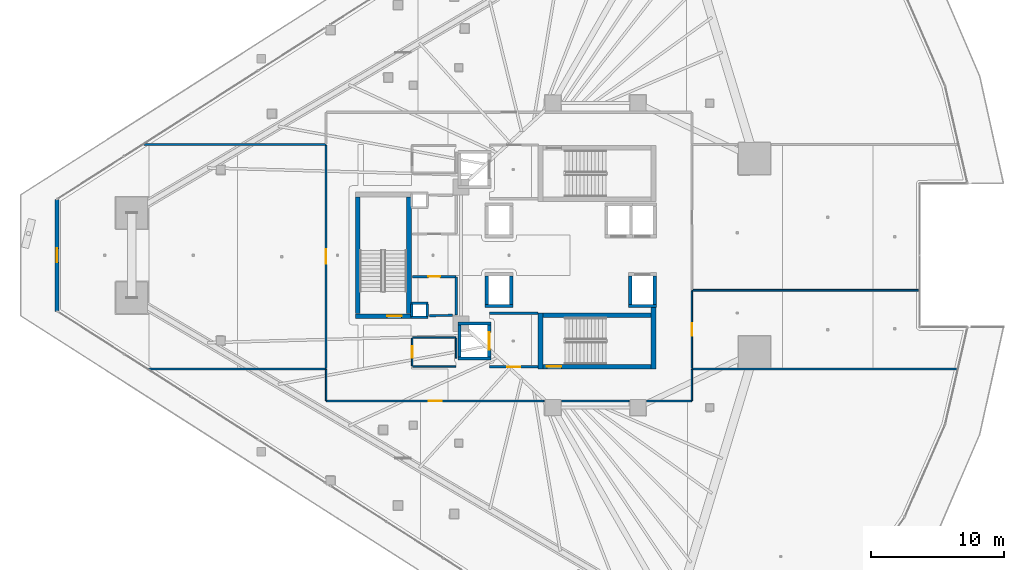
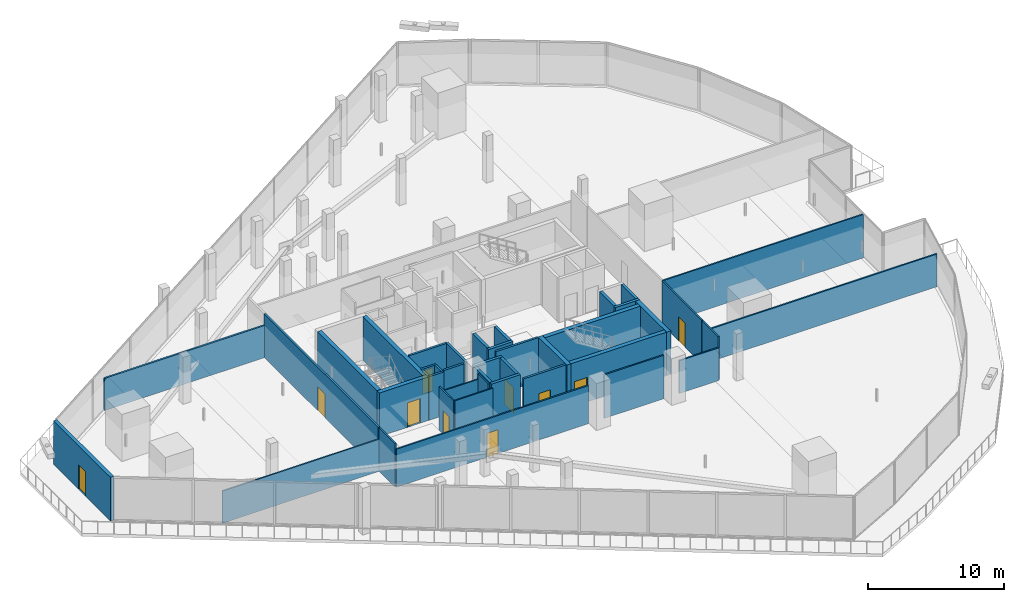
# One storey, part 30 of 43: 42 walls, 10 doors, 10 openings.
"""IFC4 building model written with IfcOpenShell, lengths in metres."""

from ifc_helpers import new_model, si_unit, direction, frame, frame_2d, origin, place, context, subcontext, project, spatial, rectangle, extrude, material, layer, layer_set, type_object, element, fill, save


model = new_model("IFC4")

# Units and contexts
model_context = context("Model", 3, precision=1e-05, world=origin(), true_north=direction((0.0, 1.0)))
body_context = subcontext(model_context, "Body", "Model", "MODEL_VIEW")
ifc_project = project(units=[si_unit("LENGTHUNIT", "METRE"), si_unit("AREAUNIT", "SQUARE_METRE"), si_unit("VOLUMEUNIT", "CUBIC_METRE"), si_unit("PLANEANGLEUNIT", "RADIAN"), si_unit("MASSUNIT", "GRAM", prefix="KILO")], contexts=[model_context])

# Site, building, storey
site_placement = place(None, origin())
site = spatial("IfcSite", under=ifc_project, at=site_placement, CompositionType="ELEMENT")
building_placement = place(site_placement, origin())
building = spatial("IfcBuilding", under=site, at=building_placement, Name="Qorvath Tower", CompositionType="ELEMENT")
storey_placement = place(building_placement, frame((0.0, 0.0, 36.60009765625)))
storey = spatial("IfcBuildingStorey", under=building, at=storey_placement, Name="L07", CompositionType="ELEMENT", Elevation=36.60009765625)

# Walls
ifc_material_1 = material(Name="Gypsum shaftliner on steel studs", Category="steel")
ifc_layer_1 = layer(ifc_material_1, 0.179931640625)
ifc_layer_set_1 = layer_set([ifc_layer_1], Name="FW-LOBBY")
wall_type_1 = type_object("IfcWallType", Name="FW-LOBBY", PredefinedType="PARTITIONING", material=ifc_layer_set_1)
for number, where, z_axis, x_axis, name in (
    (1, (-32.989990234375, -4.675048828125, 0.0), (0.0, 0.0, 1.0), (-1.0, 0.0, 0.0), "MEP Riser Shaft Enclosure Wall S-L07-S"),
    (2, (-34.260009765625, -3.594970703125, 0.0), (0.0, 0.0, 1.0), (1.0, 0.0, 0.0), "MEP Riser Shaft Enclosure Wall S-L07-N"),
):
    element("IfcWall", number, at=place(storey_placement, frame(where, z_axis=z_axis, x_axis=x_axis)), inside=storey, type_object=wall_type_1, Name=name, PredefinedType="PARTITIONING", context=body_context, shape_type="SweptSolid", body=[
        extrude(rectangle(XDim=1.27001953125, YDim=0.179931640625, at=frame_2d((0.635009765625, 0.0))), origin(), (0.0, 0.0, 1.0), 3.919921875),
    ])
for number, where, z_axis, x_axis, name in (
    (3, (-34.205078125, -4.610107421875, 0.0), (0.0, 0.0, 1.0), (0.0, 1.0, 0.0), "MEP Riser Shaft Enclosure Wall S-L07-W"),
    (4, (-33.044921875, -3.659912109375, 0.0), (0.0, 0.0, 1.0), (0.0, -1.0, 0.0), "MEP Riser Shaft Enclosure Wall S-L07-E"),
):
    element("IfcWall", number, at=place(storey_placement, frame(where, z_axis=z_axis, x_axis=x_axis)), inside=storey, type_object=wall_type_1, Name=name, PredefinedType="PARTITIONING", context=body_context, shape_type="SweptSolid", body=[
        extrude(rectangle(XDim=0.9501953125, YDim=0.179931640625, at=frame_2d((0.47509765625, 0.0))), origin(), (0.0, 0.0, 1.0), 3.919921875),
    ])

# Wall, opening, door
wall_1_placement = place(storey_placement, frame((-28.35498046875, -8.39990234375, 0.0), z_axis=(0.0, 0.0, 1.0), x_axis=(1.0, 0.0, 0.0)))
wall_1 = element("IfcWall", 5, at=wall_1_placement, inside=storey, type_object=wall_type_1, Name="Interior Partition IW-T1-L07-003", PredefinedType="PARTITIONING", context=body_context, shape_type="SweptSolid", body=[
    extrude(rectangle(XDim=3.6220703125, YDim=0.179931640625, at=frame_2d((1.81103515625, 0.0))), origin(), (0.0, 0.0, 1.0), 3.919921875),
])
opening_1_placement = place(wall_1_placement, frame((1.31103515625, 0.0, 0.0)))
opening_1 = element("IfcOpeningElement", 6, at=opening_1_placement, cuts=wall_1, Name="Opening D-T1-L07-11", PredefinedType="OPENING", context=body_context, shape_type="SweptSolid", body=[
    extrude(rectangle(XDim=1.0, YDim=2.14990234375, at=frame_2d((0.5, 1.074951171875))), frame((0.0, 0.10009765625, 0.0), z_axis=(0.0, -1.0, 0.0), x_axis=(1.0, 0.0, 0.0)), (0.0, 0.0, 1.0), 0.199951171875),
])
ifc_material_2 = material(Name="Painted galvanised hollow metal", Category="steel")
door_type_1 = type_object("IfcDoorType", Name="FD-60", OperationType="NOTDEFINED", PredefinedType="DOOR", material=ifc_material_2)
door_1_placement = place(opening_1_placement, origin())
door_1 = element("IfcDoor", 7, at=door_1_placement, inside=storey, type_object=door_type_1, Name="Lobby Fire Service Elevator South Door D-T1-L07-11", OperationType="SINGLE_SWING_RIGHT", OverallHeight=2.14990234375, OverallWidth=1.0, PredefinedType="DOOR", context=body_context, shape_type="SweptSolid", body=[
    extrude(rectangle(XDim=1.0, YDim=2.14990234375, at=frame_2d((0.5, 1.074951171875))), frame((0.0, 0.02490234375, 0.0), z_axis=(0.0, -1.0, 0.0), x_axis=(1.0, 0.0, 0.0)), (0.0, 0.0, 1.0), 0.050048828125),
])
fill(opening_1, door_1)

# Walls
wall_2_placement = place(storey_placement, frame((-24.73291015625, -4.35009765625, 0.0), z_axis=(0.0, 0.0, 1.0), x_axis=(-1.0, 0.0, 0.0)))
element("IfcWall", 8, at=wall_2_placement, inside=storey, type_object=wall_type_1, Name="Interior Partition IW-T1-L07-004", PredefinedType="PARTITIONING", context=body_context, shape_type="SweptSolid", body=[
    extrude(rectangle(XDim=3.6220703125, YDim=0.179931640625, at=frame_2d((1.81103515625, 0.0))), origin(), (0.0, 0.0, 1.0), 3.919921875),
])
wall_3_placement = place(storey_placement, frame((-32.8798828125, -4.5380859375, 0.0), z_axis=(0.0, 0.0, 1.0), x_axis=(0.9999584918, 0.009111239105, 0.0)))
element("IfcWall", 9, at=wall_3_placement, inside=storey, type_object=wall_type_1, Name="Interior Partition IW-T1-L07-016", PredefinedType="PARTITIONING", context=body_context, shape_type="SweptSolid", body=[
    extrude(rectangle(XDim=1.71484375, YDim=0.179931640625, at=frame_2d((0.857421875, 0.0))), origin(), (0.0, 0.0, 1.0), 3.919921875),
])
wall_4_placement = place(storey_placement, frame((-30.8798828125, -4.485107421875, 0.0), z_axis=(0.0, 0.0, 1.0), x_axis=(0.0, 1.0, 0.0)))
element("IfcWall", 10, at=wall_4_placement, inside=storey, type_object=wall_type_1, Name="Interior Partition IW-T1-L07-017", PredefinedType="PARTITIONING", context=body_context, shape_type="SweptSolid", body=[
    extrude(rectangle(XDim=2.860107421875, YDim=0.179931640625, at=frame_2d((1.43017578125, 0.0))), origin(), (0.0, 0.0, 1.0), 3.919921875),
])

# Wall, opening, door
wall_5_placement = place(storey_placement, frame((-30.90478515625, -1.60009765625, 0.0), z_axis=(0.0, 0.0, 1.0), x_axis=(-1.0, 0.0, 0.0)))
wall_5 = element("IfcWall", 11, at=wall_5_placement, inside=storey, type_object=wall_type_1, Name="Interior Partition IW-T1-L07-018", PredefinedType="PARTITIONING", context=body_context, shape_type="SweptSolid", body=[
    extrude(rectangle(XDim=3.25, YDim=0.179931640625, at=frame_2d((1.625, 0.0))), origin(), (0.0, 0.0, 1.0), 3.919921875),
])
opening_2_placement = place(wall_5_placement, frame((1.18505859375, 0.0, 0.0)))
opening_2 = element("IfcOpeningElement", 12, at=opening_2_placement, cuts=wall_5, Name="Opening D-T1-L07-04", PredefinedType="OPENING", context=body_context, shape_type="SweptSolid", body=[
    extrude(rectangle(XDim=0.8798828125, YDim=2.10009765625, at=frame_2d((0.43994140625, 1.050048828125))), frame((0.0, 0.10009765625, 0.0), z_axis=(0.0, -1.0, 0.0), x_axis=(1.0, 0.0, 0.0)), (0.0, 0.0, 1.0), 0.199951171875),
])
ifc_material_3 = material(Name="Painted galvanised hollow metal", Category="steel")
door_type_2 = type_object("IfcDoorType", Name="FD-60N", OperationType="NOTDEFINED", PredefinedType="DOOR", material=ifc_material_3)
door_2_placement = place(opening_2_placement, origin())
door_2 = element("IfcDoor", 13, at=door_2_placement, inside=storey, type_object=door_type_2, Name="Core housekeeping store L07 Door D-T1-L07-04", OperationType="SINGLE_SWING_LEFT", OverallHeight=2.10009765625, OverallWidth=0.8798828125, PredefinedType="DOOR", context=body_context, shape_type="SweptSolid", body=[
    extrude(rectangle(XDim=0.8798828125, YDim=2.10009765625, at=frame_2d((0.43994140625, 1.050048828125))), frame((0.0, 0.02490234375, 0.0), z_axis=(0.0, -1.0, 0.0), x_axis=(1.0, 0.0, 0.0)), (0.0, 0.0, 1.0), 0.050048828125),
])
fill(opening_2, door_2)

# Wall
ifc_material_4 = material(Name="Double acoustic gypsum board on steel studs", Category="steel")
ifc_layer_2 = layer(ifc_material_4, 0.159912109375)
ifc_layer_set_2 = layer_set([ifc_layer_2], Name="IW-ACOUSTIC-160")
wall_type_2 = type_object("IfcWallType", Name="IW-ACOUSTIC-160", PredefinedType="PARTITIONING", material=ifc_layer_set_2)
wall_6_placement = place(storey_placement, frame((-54.348388671875, 8.35009765625, 0.0), z_axis=(0.0, 0.0, 1.0), x_axis=(1.0, 0.0, 0.0)))
element("IfcWall", 14, at=wall_6_placement, inside=storey, type_object=wall_type_2, Name="Interior Partition IW-T1-L07-019", PredefinedType="PARTITIONING", context=body_context, shape_type="SweptSolid", body=[
    extrude(rectangle(XDim=13.665283203125, YDim=0.159912109375, at=frame_2d((6.83251953125, 0.0))), origin(), (0.0, 0.0, 1.0), 2.889892578125),
])

# Wall, opening, door
wall_7_placement = place(storey_placement, frame((-40.657958984375, -8.51708984375, 0.0), z_axis=(0.0, 0.0, 1.0), x_axis=(0.0, 1.0, 0.0)))
wall_7 = element("IfcWall", 15, at=wall_7_placement, inside=storey, type_object=wall_type_2, Name="Interior Partition IW-T1-L07-035", PredefinedType="PARTITIONING", context=body_context, shape_type="SweptSolid", body=[
    extrude(rectangle(XDim=16.833984375, YDim=0.159912109375, at=frame_2d((8.4169921875, 0.0))), origin(), (0.0, 0.0, 1.0), 3.919921875),
])
opening_3_placement = place(wall_7_placement, frame((7.866943359375, 0.0, 0.0)))
opening_3 = element("IfcOpeningElement", 16, at=opening_3_placement, cuts=wall_7, Name="Opening D-T1-L07-09", PredefinedType="OPENING", context=body_context, shape_type="SweptSolid", body=[
    extrude(rectangle(XDim=1.10009765625, YDim=2.14990234375, at=frame_2d((0.550048828125, 1.074951171875))), frame((0.0, 0.08984375, 0.0), z_axis=(0.0, -1.0, 0.0), x_axis=(1.0, 0.0, 0.0)), (0.0, 0.0, 1.0), 0.179931640625),
])
ifc_material_5 = material(Name="Anodised aluminium acoustic framed glass", Category="aluminium")
door_type_3 = type_object("IfcDoorType", Name="D-03", OperationType="NOTDEFINED", PredefinedType="DOOR", material=ifc_material_5)
door_3_placement = place(opening_3_placement, origin())
door_3 = element("IfcDoor", 17, at=door_3_placement, inside=storey, type_object=door_type_3, Name="L07-05 Client Services Office Door D-T1-L07-09", OperationType="SINGLE_SWING_RIGHT", OverallHeight=2.14990234375, OverallWidth=1.10009765625, PredefinedType="DOOR", context=body_context, shape_type="SweptSolid", body=[
    extrude(rectangle(XDim=1.10009765625, YDim=2.14990234375, at=frame_2d((0.550048828125, 1.074951171875))), frame((0.0, 0.02490234375, 0.0), z_axis=(0.0, -1.0, 0.0), x_axis=(1.0, 0.0, 0.0)), (0.0, 0.0, 1.0), 0.050048828125),
])
fill(opening_3, door_3)

# Walls
ifc_material_6 = material(Name="Gypsum board on metal studs with mineral wool", Category="gypsum")
ifc_layer_3 = layer(ifc_material_6, 0.125)
ifc_layer_set_3 = layer_set([ifc_layer_3], Name="IW-PART-125")
wall_type_3 = type_object("IfcWallType", Name="IW-PART-125", PredefinedType="PARTITIONING", material=ifc_layer_set_3)
wall_8_placement = place(storey_placement, frame((6.799072265625, -8.550048828125, 0.0), z_axis=(0.0, 0.0, 1.0), x_axis=(-1.0, 0.0, 0.0)))
element("IfcWall", 18, at=wall_8_placement, inside=storey, type_object=wall_type_3, Name="Interior Partition IW-T1-L07-025", PredefinedType="PARTITIONING", context=body_context, shape_type="SweptSolid", body=[
    extrude(rectangle(XDim=19.916259765625, YDim=0.125, at=frame_2d((9.9580078125, 0.0))), origin(), (0.0, 0.0, 1.0), 2.956787109375),
])
wall_9_placement = place(storey_placement, frame((-13.14208984375, -10.93310546875, 0.0), z_axis=(0.0, 0.0, 1.0), x_axis=(0.0, 1.0, 0.0)))
element("IfcWall", 19, at=wall_9_placement, inside=storey, type_object=wall_type_3, Name="Interior Partition IW-T1-L07-026", PredefinedType="PARTITIONING", context=body_context, shape_type="SweptSolid", body=[
    extrude(rectangle(XDim=2.358154296875, YDim=0.125, at=frame_2d((1.17919921875, 0.0))), origin(), (0.0, 0.0, 1.0), 3.919921875),
])
wall_10_placement = place(storey_placement, frame((-13.1669921875, -10.9580078125, 0.0), z_axis=(0.0, 0.0, 1.0), x_axis=(-1.0, 0.0, 0.0)))
element("IfcWall", 20, at=wall_10_placement, inside=storey, type_object=wall_type_3, Name="Interior Partition IW-T1-L07-027", PredefinedType="PARTITIONING", context=body_context, shape_type="SweptSolid", body=[
    extrude(rectangle(XDim=3.367919921875, YDim=0.125, at=frame_2d((1.68408203125, 0.0))), origin(), (0.0, 0.0, 1.0), 2.956787109375),
])
wall_11_placement = place(storey_placement, frame((-17.864990234375, -10.9580078125, 0.0), z_axis=(0.0, 0.0, 1.0), x_axis=(-1.0, 0.0, 0.0)))
element("IfcWall", 21, at=wall_11_placement, inside=storey, type_object=wall_type_3, Name="Interior Partition IW-T1-L07-028", PredefinedType="PARTITIONING", context=body_context, shape_type="SweptSolid", body=[
    extrude(rectangle(XDim=5.070068359375, YDim=0.125, at=frame_2d((2.53515625, 0.0))), origin(), (0.0, 0.0, 1.0), 3.919921875),
])

# Wall, opening, door
wall_12_placement = place(storey_placement, frame((-24.264892578125, -10.9580078125, 0.0), z_axis=(0.0, 0.0, 1.0), x_axis=(-1.0, 0.0, 0.0)))
wall_12 = element("IfcWall", 22, at=wall_12_placement, inside=storey, type_object=wall_type_3, Name="Interior Partition IW-T1-L07-029", PredefinedType="PARTITIONING", context=body_context, shape_type="SweptSolid", body=[
    extrude(rectangle(XDim=16.3681640625, YDim=0.125, at=frame_2d((8.18408203125, 0.0))), origin(), (0.0, 0.0, 1.0), 3.432861328125),
])
opening_4_placement = place(wall_12_placement, frame((7.708984375, 0.0, 0.0)))
opening_4 = element("IfcOpeningElement", 23, at=opening_4_placement, cuts=wall_12, Name="Opening D-T1-L07-06", PredefinedType="OPENING", context=body_context, shape_type="SweptSolid", body=[
    extrude(rectangle(XDim=0.949951171875, YDim=2.14990234375, at=frame_2d((0.47509765625, 1.074951171875))), frame((0.0, 0.072509765625, 0.0), z_axis=(0.0, -1.0, 0.0), x_axis=(1.0, 0.0, 0.0)), (0.0, 0.0, 1.0), 0.14501953125),
])
ifc_material_7 = material(Name="Solid-core American white oak veneer", Category="wood")
door_type_4 = type_object("IfcDoorType", Name="D-01", OperationType="NOTDEFINED", PredefinedType="DOOR", material=ifc_material_7)
door_4_placement = place(opening_4_placement, origin())
door_4 = element("IfcDoor", 24, at=door_4_placement, inside=storey, type_object=door_type_4, Name="L07-02 Focus Collaboration Pod Door D-T1-L07-06", OperationType="SINGLE_SWING_LEFT", OverallHeight=2.14990234375, OverallWidth=0.949951171875, PredefinedType="DOOR", context=body_context, shape_type="SweptSolid", body=[
    extrude(rectangle(XDim=0.949951171875, YDim=2.14990234375, at=frame_2d((0.47509765625, 1.074951171875))), frame((0.0, 0.02490234375, 0.0), z_axis=(0.0, -1.0, 0.0), x_axis=(1.0, 0.0, 0.0)), (0.0, 0.0, 1.0), 0.050048828125),
])
fill(opening_4, door_4)

# Walls
wall_13_placement = place(storey_placement, frame((-40.657958984375, -8.574951171875, 0.0), z_axis=(0.0, 0.0, 1.0), x_axis=(0.0, -1.0, 0.0)))
element("IfcWall", 25, at=wall_13_placement, inside=storey, type_object=wall_type_3, Name="Interior Partition IW-T1-L07-030", PredefinedType="PARTITIONING", context=body_context, shape_type="SweptSolid", body=[
    extrude(rectangle(XDim=2.358154296875, YDim=0.125, at=frame_2d((1.17919921875, 0.0))), origin(), (0.0, 0.0, 1.0), 3.919921875),
])
wall_14_placement = place(storey_placement, frame((-40.68310546875, -8.550048828125, 0.0), z_axis=(0.0, 0.0, 1.0), x_axis=(-1.0, 0.0, 0.0)))
element("IfcWall", 26, at=wall_14_placement, inside=storey, type_object=wall_type_3, Name="Interior Partition IW-T1-L07-031", PredefinedType="PARTITIONING", context=body_context, shape_type="SweptSolid", body=[
    extrude(rectangle(XDim=13.3525390625, YDim=0.125, at=frame_2d((6.67626953125, 0.0))), origin(), (0.0, 0.0, 1.0), 2.889892578125),
])
wall_15_placement = place(storey_placement, frame((-13.1171875, -2.635009765625, 0.0), z_axis=(0.0, 0.0, 1.0), x_axis=(1.0, 0.0, 0.0)))
element("IfcWall", 27, at=wall_15_placement, inside=storey, type_object=wall_type_3, Name="Interior Partition IW-T1-L07-033", PredefinedType="PARTITIONING", context=body_context, shape_type="SweptSolid", body=[
    extrude(rectangle(XDim=17.0419921875, YDim=0.125, at=frame_2d((8.52099609375, 0.0))), origin(), (0.0, 0.0, 1.0), 3.919921875),
])

# Wall, opening, door
wall_16_placement = place(storey_placement, frame((-13.14208984375, -2.668212890625, 0.0), z_axis=(0.0, 0.0, 1.0), x_axis=(0.0, -1.0, 0.0)))
wall_16 = element("IfcWall", 28, at=wall_16_placement, inside=storey, type_object=wall_type_3, Name="Interior Partition IW-T1-L07-034", PredefinedType="PARTITIONING", context=body_context, shape_type="SweptSolid", body=[
    extrude(rectangle(XDim=5.848876953125, YDim=0.125, at=frame_2d((2.92431640625, 0.0))), origin(), (0.0, 0.0, 1.0), 3.919921875),
])
opening_5_placement = place(wall_16_placement, frame((2.449462890625, 0.0, 0.0)))
opening_5 = element("IfcOpeningElement", 29, at=opening_5_placement, cuts=wall_16, Name="Opening D-T1-L07-08", PredefinedType="OPENING", context=body_context, shape_type="SweptSolid", body=[
    extrude(rectangle(XDim=0.949951171875, YDim=2.14990234375, at=frame_2d((0.47509765625, 1.074951171875))), frame((0.0, 0.072509765625, 0.0), z_axis=(0.0, -1.0, 0.0), x_axis=(1.0, 0.0, 0.0)), (0.0, 0.0, 1.0), 0.14501953125),
])
door_5_placement = place(opening_5_placement, origin())
door_5 = element("IfcDoor", 30, at=door_5_placement, inside=storey, type_object=door_type_4, Name="L07-04 Staff Refreshment Pantry Door D-T1-L07-08", OperationType="SINGLE_SWING_LEFT", OverallHeight=2.14990234375, OverallWidth=0.949951171875, PredefinedType="DOOR", context=body_context, shape_type="SweptSolid", body=[
    extrude(rectangle(XDim=0.949951171875, YDim=2.14990234375, at=frame_2d((0.47509765625, 1.074951171875))), frame((0.0, 0.02490234375, 0.0), z_axis=(0.0, -1.0, 0.0), x_axis=(1.0, 0.0, 0.0)), (0.0, 0.0, 1.0), 0.050048828125),
])
fill(opening_5, door_5)

ifc_material_8 = material(Name="Moisture-resistant cement board on metal studs", Category="gypsum")
ifc_layer_4 = layer(ifc_material_8, 0.110107421875)
ifc_layer_set_4 = layer_set([ifc_layer_4], Name="IW-WC-110")
wall_type_4 = type_object("IfcWallType", Name="IW-WC-110", PredefinedType="PARTITIONING", material=ifc_layer_set_4)
wall_17_placement = place(storey_placement, frame((-34.179931640625, -6.22509765625, 0.0), z_axis=(0.0, 0.0, 1.0), x_axis=(0.0, -1.0, 0.0)))
wall_17 = element("IfcWall", 31, at=wall_17_placement, inside=storey, type_object=wall_type_4, Name="Interior Partition IW-T1-L07-009", PredefinedType="PARTITIONING", context=body_context, shape_type="SweptSolid", body=[
    extrude(rectangle(XDim=2.10009765625, YDim=0.110107421875, at=frame_2d((1.050048828125, 0.0))), origin(), (0.0, 0.0, 1.0), 3.919921875),
])
opening_6_placement = place(wall_17_placement, frame((0.610107421875, 0.0, 0.0)))
opening_6 = element("IfcOpeningElement", 32, at=opening_6_placement, cuts=wall_17, Name="Opening D-T1-L07-02", PredefinedType="OPENING", context=body_context, shape_type="SweptSolid", body=[
    extrude(rectangle(XDim=0.8798828125, YDim=2.10009765625, at=frame_2d((0.43994140625, 1.050048828125))), frame((0.0, 0.06494140625, 0.0), z_axis=(0.0, -1.0, 0.0), x_axis=(1.0, 0.0, 0.0)), (0.0, 0.0, 1.0), 0.130126953125),
])
ifc_material_9 = material(Name="Solid-core oak with acoustic drop seal", Category="wood")
door_type_5 = type_object("IfcDoorType", Name="D-02", OperationType="NOTDEFINED", PredefinedType="DOOR", material=ifc_material_9)
door_6_placement = place(opening_6_placement, origin())
door_6 = element("IfcDoor", 33, at=door_6_placement, inside=storey, type_object=door_type_5, Name="Accessible WC South L07 Door D-T1-L07-02", OperationType="SINGLE_SWING_LEFT", OverallHeight=2.10009765625, OverallWidth=0.8798828125, PredefinedType="DOOR", context=body_context, shape_type="SweptSolid", body=[
    extrude(rectangle(XDim=0.8798828125, YDim=2.10009765625, at=frame_2d((0.43994140625, 1.050048828125))), frame((0.0, 0.02490234375, 0.0), z_axis=(0.0, -1.0, 0.0), x_axis=(1.0, 0.0, 0.0)), (0.0, 0.0, 1.0), 0.050048828125),
])
fill(opening_6, door_6)

# Walls
wall_18_placement = place(storey_placement, frame((-34.15478515625, -8.35009765625, 0.0), z_axis=(0.0, 0.0, 1.0), x_axis=(1.0, 0.0, 0.0)))
element("IfcWall", 34, at=wall_18_placement, inside=storey, type_object=wall_type_4, Name="Interior Partition IW-T1-L07-010", PredefinedType="PARTITIONING", context=body_context, shape_type="SweptSolid", body=[
    extrude(rectangle(XDim=3.25, YDim=0.110107421875, at=frame_2d((1.625, 0.0))), origin(), (0.0, 0.0, 1.0), 3.919921875),
])
wall_19_placement = place(storey_placement, frame((-30.8798828125, -7.742919921875, 0.0), z_axis=(0.0, 0.0, 1.0), x_axis=(0.0, 1.0, 0.0)))
element("IfcWall", 35, at=wall_19_placement, inside=storey, type_object=wall_type_4, Name="Interior Partition IW-T1-L07-011", PredefinedType="PARTITIONING", context=body_context, shape_type="SweptSolid", body=[
    extrude(rectangle(XDim=1.517822265625, YDim=0.110107421875, at=frame_2d((0.7587890625, 0.0))), origin(), (0.0, 0.0, 1.0), 3.919921875),
])
wall_20_placement = place(storey_placement, frame((-30.90478515625, -6.199951171875, 0.0), z_axis=(0.0, 0.0, 1.0), x_axis=(-1.0, 0.0, 0.0)))
element("IfcWall", 36, at=wall_20_placement, inside=storey, type_object=wall_type_4, Name="Interior Partition IW-T1-L07-012", PredefinedType="PARTITIONING", context=body_context, shape_type="SweptSolid", body=[
    extrude(rectangle(XDim=3.25, YDim=0.110107421875, at=frame_2d((1.625, 0.0))), origin(), (0.0, 0.0, 1.0), 3.432861328125),
])
ifc_material_10 = material(Name="Concrete C60/75", Category="concrete")
ifc_layer_5 = layer(ifc_material_10, 0.260009765625)
ifc_layer_set_5 = layer_set([ifc_layer_5], Name="SW-SHAFT")
wall_type_5 = type_object("IfcWallType", Name="SW-SHAFT", PredefinedType="SHEAR", material=ifc_layer_set_5)
for number, where, z_axis, x_axis, name in (
    (37, (-28.260009765625, -7.77001953125, 0.0), (0.0, 0.0, 1.0), (-1.0, 0.0, 0.0), "Hoistway Wall FSAE-2 L07 S"),
    (38, (-30.739990234375, -5.1298828125, 0.0), (0.0, 0.0, 1.0), (1.0, 0.0, 0.0), "Hoistway Wall FSAE-2 L07 N"),
):
    element("IfcWall", number, at=place(storey_placement, frame(where, z_axis=z_axis, x_axis=x_axis)), inside=storey, type_object=wall_type_5, Name=name, PredefinedType="SHEAR", context=body_context, shape_type="SweptSolid", body=[
        extrude(rectangle(XDim=2.47998046875, YDim=0.239990234375, at=frame_2d((1.239990234375, 0.0))), origin(), (0.0, 0.0, 1.0), 3.919921875),
    ])
wall_21_placement = place(storey_placement, frame((-30.6201171875, -7.637939453125, 0.0), z_axis=(0.0, 0.0, 1.0), x_axis=(0.0, 1.0, 0.0)))
element("IfcWall", 39, at=wall_21_placement, inside=storey, type_object=wall_type_5, Name="Hoistway Wall FSAE-2 L07 W", PredefinedType="SHEAR", context=body_context, shape_type="SweptSolid", body=[
    extrude(rectangle(XDim=2.3759765625, YDim=0.239990234375, at=frame_2d((1.18798828125, 0.0))), origin(), (0.0, 0.0, 1.0), 3.919921875),
])

# Wall, opening, door
wall_22_placement = place(storey_placement, frame((-28.3798828125, -5.261962890625, 0.0), z_axis=(0.0, 0.0, 1.0), x_axis=(0.0, -1.0, 0.0)))
wall_22 = element("IfcWall", 40, at=wall_22_placement, inside=storey, type_object=wall_type_5, Name="Hoistway Wall FSAE-2 L07 E", PredefinedType="SHEAR", context=body_context, shape_type="SweptSolid", body=[
    extrude(rectangle(XDim=2.3759765625, YDim=0.239990234375, at=frame_2d((1.18798828125, 0.0))), origin(), (0.0, 0.0, 1.0), 3.919921875),
])
opening_7_placement = place(wall_22_placement, frame((0.5380859375, 0.0, 0.0)))
opening_7 = element("IfcOpeningElement", 41, at=opening_7_placement, cuts=wall_22, Name="Opening LD-FSAE-2-L07", PredefinedType="OPENING", context=body_context, shape_type="SweptSolid", body=[
    extrude(rectangle(XDim=1.300048828125, YDim=2.300048828125, at=frame_2d((0.64990234375, 1.14990234375))), frame((0.0, 0.1298828125, 0.0), z_axis=(0.0, -1.0, 0.0), x_axis=(1.0, 0.0, 0.0)), (0.0, 0.0, 1.0), 0.260009765625),
])
ifc_material_11 = material(Name="Brushed stainless steel AISI 316", Category="steel")
door_type_6 = type_object("IfcDoorType", Name="LD-02", OperationType="NOTDEFINED", PredefinedType="DOOR", material=ifc_material_11)
door_7_placement = place(opening_7_placement, origin())
door_7 = element("IfcDoor", 42, at=door_7_placement, inside=storey, type_object=door_type_6, Name="Elevator Landing Sliding Door LD-FSAE-2-L07", OperationType="DOUBLE_DOOR_SLIDING", OverallHeight=2.300048828125, OverallWidth=1.300048828125, PredefinedType="DOOR", context=body_context, shape_type="SweptSolid", body=[
    extrude(rectangle(XDim=1.300048828125, YDim=2.300048828125, at=frame_2d((0.64990234375, 1.14990234375))), frame((0.0, 0.02490234375, 0.0), z_axis=(0.0, -1.0, 0.0), x_axis=(1.0, 0.0, 0.0)), (0.0, 0.0, 1.0), 0.050048828125),
])
fill(opening_7, door_7)

# Walls
wall_23_placement = place(storey_placement, frame((-26.610107421875, -3.820068359375, 0.0), z_axis=(0.0, 0.0, 1.0), x_axis=(-1.0, 0.0, 0.0)))
element("IfcWall", 43, at=wall_23_placement, inside=storey, type_object=wall_type_5, Name="Hoistway Wall PS-2 L07 S", PredefinedType="SHEAR", context=body_context, shape_type="SweptSolid", body=[
    extrude(rectangle(XDim=2.079833984375, YDim=0.239990234375, at=frame_2d((1.0400390625, 0.0))), origin(), (0.0, 0.0, 1.0), 3.919921875),
])
for number, where, z_axis, x_axis, name in (
    (44, (-28.570068359375, -3.68798828125, 0.0), (0.0, 0.0, 1.0), (0.0, 1.0, 0.0), "Hoistway Wall PS-2 L07 W"),
    (45, (-26.72998046875, -1.56201171875, 0.0), (0.0, 0.0, 1.0), (0.0, -1.0, 0.0), "Hoistway Wall PS-2 L07 E"),
):
    element("IfcWall", number, at=place(storey_placement, frame(where, z_axis=z_axis, x_axis=x_axis)), inside=storey, type_object=wall_type_5, Name=name, PredefinedType="SHEAR", context=body_context, shape_type="SweptSolid", body=[
        extrude(rectangle(XDim=2.1259765625, YDim=0.239990234375, at=frame_2d((1.06298828125, 0.0))), origin(), (0.0, 0.0, 1.0), 3.919921875),
    ])
wall_24_placement = place(storey_placement, frame((-15.81005859375, -3.820068359375, 0.0), z_axis=(0.0, 0.0, 1.0), x_axis=(-1.0, 0.0, 0.0)))
element("IfcWall", 46, at=wall_24_placement, inside=storey, type_object=wall_type_5, Name="Hoistway Wall PL-2 L07 S", PredefinedType="SHEAR", context=body_context, shape_type="SweptSolid", body=[
    extrude(rectangle(XDim=2.079833984375, YDim=0.239990234375, at=frame_2d((1.0400390625, 0.0))), origin(), (0.0, 0.0, 1.0), 3.919921875),
])
for number, where, z_axis, x_axis, name in (
    (47, (-17.77001953125, -3.68798828125, 0.0), (0.0, 0.0, 1.0), (0.0, 1.0, 0.0), "Hoistway Wall PL-2 L07 W"),
    (48, (-15.929931640625, -1.56201171875, 0.0), (0.0, 0.0, 1.0), (0.0, -1.0, 0.0), "Hoistway Wall PL-2 L07 E"),
):
    element("IfcWall", number, at=place(storey_placement, frame(where, z_axis=z_axis, x_axis=x_axis)), inside=storey, type_object=wall_type_5, Name=name, PredefinedType="SHEAR", context=body_context, shape_type="SweptSolid", body=[
        extrude(rectangle(XDim=2.1259765625, YDim=0.239990234375, at=frame_2d((1.06298828125, 0.0))), origin(), (0.0, 0.0, 1.0), 3.919921875),
    ])
ifc_material_12 = material(Name="Concrete C60/75", Category="concrete")
ifc_layer_6 = layer(ifc_material_12, 0.35009765625)
ifc_layer_set_6 = layer_set([ifc_layer_6], Name="SW-STAIR")
wall_type_6 = type_object("IfcWallType", Name="SW-STAIR", PredefinedType="SHEAR", material=ifc_layer_set_6)
wall_25_placement = place(storey_placement, frame((-24.52490234375, -4.340087890625, 0.0), z_axis=(0.0, 0.0, 1.0), x_axis=(0.0, -1.0, 0.0)))
element("IfcWall", 49, at=wall_25_placement, inside=storey, type_object=wall_type_6, Name="Stair TS2 Shear Wall L07 NEAR", PredefinedType="SHEAR", context=body_context, shape_type="SweptSolid", body=[
    extrude(rectangle(XDim=4.2099609375, YDim=0.35009765625, at=frame_2d((2.10498046875, 0.0))), origin(), (0.0, 0.0, 1.0), 3.919921875),
])
wall_26_placement = place(storey_placement, frame((-16.02490234375, -8.550048828125, 0.0), z_axis=(0.0, 0.0, 1.0), x_axis=(0.0, 1.0, 0.0)))
element("IfcWall", 50, at=wall_26_placement, inside=storey, type_object=wall_type_6, Name="Stair TS2 Shear Wall L07 FAR", PredefinedType="SHEAR", context=body_context, shape_type="SweptSolid", body=[
    extrude(rectangle(XDim=4.610107421875, YDim=0.35009765625, at=frame_2d((2.30517578125, 0.0))), origin(), (0.0, 0.0, 1.0), 3.919921875),
])

# Wall, opening, door
wall_27_placement = place(storey_placement, frame((-24.3349609375, -8.375, 0.0), z_axis=(0.0, 0.0, 1.0), x_axis=(1.0, 0.0, 0.0)))
wall_27 = element("IfcWall", 51, at=wall_27_placement, inside=storey, type_object=wall_type_6, Name="Stair TS2 Shear Wall L07 LEFT", PredefinedType="SHEAR", context=body_context, shape_type="SweptSolid", body=[
    extrude(rectangle(XDim=8.119873046875, YDim=0.35009765625, at=frame_2d((4.06005859375, 0.0))), origin(), (0.0, 0.0, 1.0), 3.919921875),
])
opening_8_placement = place(wall_27_placement, frame((0.280029296875, 0.0, 0.0)))
opening_8 = element("IfcOpeningElement", 52, at=opening_8_placement, cuts=wall_27, Name="Opening D-TS2-L07", PredefinedType="OPENING", context=body_context, shape_type="SweptSolid", body=[
    extrude(rectangle(XDim=1.10009765625, YDim=2.199951171875, at=frame_2d((0.550048828125, 1.10009765625))), frame((0.0, 0.18505859375, 0.0), z_axis=(0.0, -1.0, 0.0), x_axis=(1.0, 0.0, 0.0)), (0.0, 0.0, 1.0), 0.3701171875),
])
ifc_material_13 = material(Name="Painted galvanised hollow metal", Category="steel")
door_type_7 = type_object("IfcDoorType", Name="FD-90", OperationType="NOTDEFINED", PredefinedType="DOOR", material=ifc_material_13)
door_8_placement = place(opening_8_placement, origin())
door_8 = element("IfcDoor", 53, at=door_8_placement, inside=storey, type_object=door_type_7, Name="Stair TS2 Fire Door L07", OperationType="SINGLE_SWING_RIGHT", OverallHeight=2.199951171875, OverallWidth=1.10009765625, PredefinedType="DOOR", context=body_context, shape_type="SweptSolid", body=[
    extrude(rectangle(XDim=1.10009765625, YDim=2.199951171875, at=frame_2d((0.550048828125, 1.10009765625))), frame((0.0, 0.02490234375, 0.0), z_axis=(0.0, -1.0, 0.0), x_axis=(1.0, 0.0, 0.0)), (0.0, 0.0, 1.0), 0.050048828125),
])
fill(opening_8, door_8)

# Wall
wall_28_placement = place(storey_placement, frame((-16.215087890625, -4.514892578125, 0.0), z_axis=(0.0, 0.0, 1.0), x_axis=(-1.0, 0.0, 0.0)))
element("IfcWall", 54, at=wall_28_placement, inside=storey, type_object=wall_type_6, Name="Stair TS2 Shear Wall L07 RIGHT", PredefinedType="SHEAR", context=body_context, shape_type="SweptSolid", body=[
    extrude(rectangle(XDim=8.119873046875, YDim=0.35009765625, at=frame_2d((4.06005859375, 0.0))), origin(), (0.0, 0.0, 1.0), 3.919921875),
])

# Wall, opening, door
wall_29_placement = place(storey_placement, frame((-38.4599609375, -4.574951171875, 0.0), z_axis=(0.0, 0.0, 1.0), x_axis=(1.0, 0.0, 0.0)))
wall_29 = element("IfcWall", 55, at=wall_29_placement, inside=storey, type_object=wall_type_6, Name="Stair TS3 Shear Wall L07 NEAR", PredefinedType="SHEAR", context=body_context, shape_type="SweptSolid", body=[
    extrude(rectangle(XDim=4.2099609375, YDim=0.35009765625, at=frame_2d((2.10498046875, 0.0))), origin(), (0.0, 0.0, 1.0), 3.919921875),
])
opening_9_placement = place(wall_29_placement, frame((2.389892578125, 0.0, 0.0)))
opening_9 = element("IfcOpeningElement", 56, at=opening_9_placement, cuts=wall_29, Name="Opening D-TS3-L07", PredefinedType="OPENING", context=body_context, shape_type="SweptSolid", body=[
    extrude(rectangle(XDim=1.10009765625, YDim=2.199951171875, at=frame_2d((0.550048828125, 1.10009765625))), frame((0.0, 0.18505859375, 0.0), z_axis=(0.0, -1.0, 0.0), x_axis=(1.0, 0.0, 0.0)), (0.0, 0.0, 1.0), 0.3701171875),
])
door_9_placement = place(opening_9_placement, origin())
door_9 = element("IfcDoor", 57, at=door_9_placement, inside=storey, type_object=door_type_7, Name="Stair TS3 Fire Door L07", OperationType="SINGLE_SWING_RIGHT", OverallHeight=2.199951171875, OverallWidth=1.10009765625, PredefinedType="DOOR", context=body_context, shape_type="SweptSolid", body=[
    extrude(rectangle(XDim=1.10009765625, YDim=2.199951171875, at=frame_2d((0.550048828125, 1.10009765625))), frame((0.0, 0.02490234375, 0.0), z_axis=(0.0, -1.0, 0.0), x_axis=(1.0, 0.0, 0.0)), (0.0, 0.0, 1.0), 0.050048828125),
])
fill(opening_9, door_9)

# Walls
for number, where, z_axis, x_axis, name in (
    (58, (-34.425048828125, -4.385009765625, 0.0), (0.0, 0.0, 1.0), (0.0, 1.0, 0.0), "Stair TS3 Shear Wall L07 LEFT"),
    (59, (-38.284912109375, 4.385009765625, 0.0), (0.0, 0.0, 1.0), (0.0, -1.0, 0.0), "Stair TS3 Shear Wall L07 RIGHT"),
):
    element("IfcWall", number, at=place(storey_placement, frame(where, z_axis=z_axis, x_axis=x_axis)), inside=storey, type_object=wall_type_6, Name=name, PredefinedType="SHEAR", context=body_context, shape_type="SweptSolid", body=[
        extrude(rectangle(XDim=8.77001953125, YDim=0.35009765625, at=frame_2d((4.385009765625, 0.0))), origin(), (0.0, 0.0, 1.0), 3.919921875),
    ])

# Wall, opening, door
ifc_material_14 = material(Name="Precast concrete C45/55", Category="concrete")
ifc_layer_7 = layer(ifc_material_14, 0.300048828125)
ifc_layer_set_7 = layer_set([ifc_layer_7], Name="WL-EW-LOG-300")
wall_type_7 = type_object("IfcWallType", Name="WL-EW-LOG-300", PredefinedType="SOLIDWALL", material=ifc_layer_set_7)
wall_30_placement = place(storey_placement, frame((-60.90234375, -4.21240234375, 0.0), z_axis=(0.0, 0.0, 1.0), x_axis=(0.0, 1.0, 0.0)))
wall_30 = element("IfcWall", 60, at=wall_30_placement, inside=storey, type_object=wall_type_7, Name="Tower Precast Loggia Wall L07-1.1", PredefinedType="SOLIDWALL", context=body_context, shape_type="SweptSolid", body=[
    extrude(rectangle(XDim=8.4248046875, YDim=0.300048828125, at=frame_2d((4.21240234375, 0.0))), origin(), (0.0, 0.0, 1.0), 3.919921875),
])
opening_10_placement = place(wall_30_placement, frame((3.6875, 0.0, 0.0)))
opening_10 = element("IfcOpeningElement", 61, at=opening_10_placement, cuts=wall_30, Name="Opening ED-L07-01", PredefinedType="OPENING", context=body_context, shape_type="SweptSolid", body=[
    extrude(rectangle(XDim=1.050048828125, YDim=2.199951171875, at=frame_2d((0.52490234375, 1.10009765625))), frame((0.0, 0.16015625, 0.0), z_axis=(0.0, -1.0, 0.0), x_axis=(1.0, 0.0, 0.0)), (0.0, 0.0, 1.0), 0.320068359375),
])
ifc_material_15 = material(Name="Thermally broken aluminium glazed door", Category="aluminium")
door_type_8 = type_object("IfcDoorType", Name="ED-LOG", OperationType="NOTDEFINED", PredefinedType="DOOR", material=ifc_material_15)
door_10_placement = place(opening_10_placement, origin())
door_10 = element("IfcDoor", 62, at=door_10_placement, inside=storey, type_object=door_type_8, Name="L07 Recessed Loggia Access Door 1", OperationType="SINGLE_SWING_RIGHT", OverallHeight=2.199951171875, OverallWidth=1.050048828125, PredefinedType="DOOR", context=body_context, shape_type="SweptSolid", body=[
    extrude(rectangle(XDim=1.050048828125, YDim=2.199951171875, at=frame_2d((0.52490234375, 1.10009765625))), frame((0.0, 0.02490234375, 0.0), z_axis=(0.0, -1.0, 0.0), x_axis=(1.0, 0.0, 0.0)), (0.0, 0.0, 1.0), 0.050048828125),
])
fill(opening_10, door_10)

save(model, "model.ifc")
